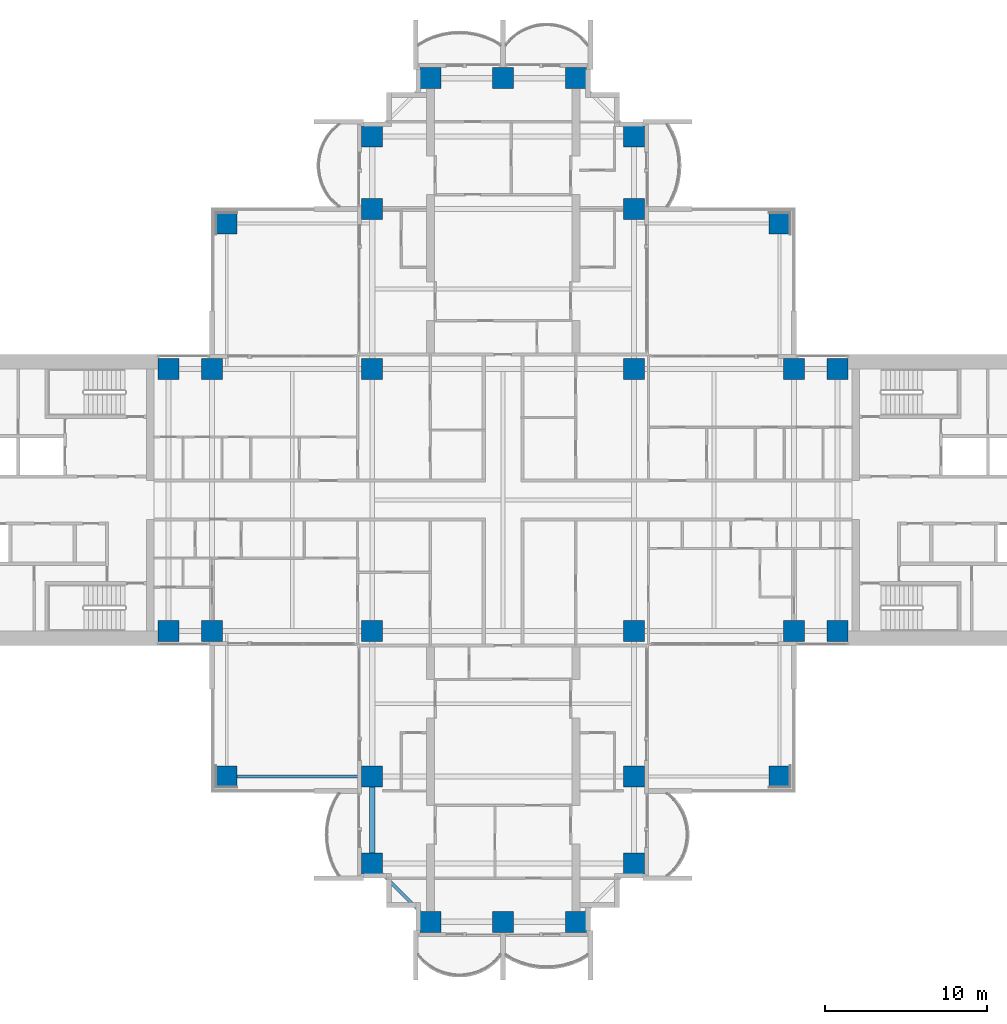
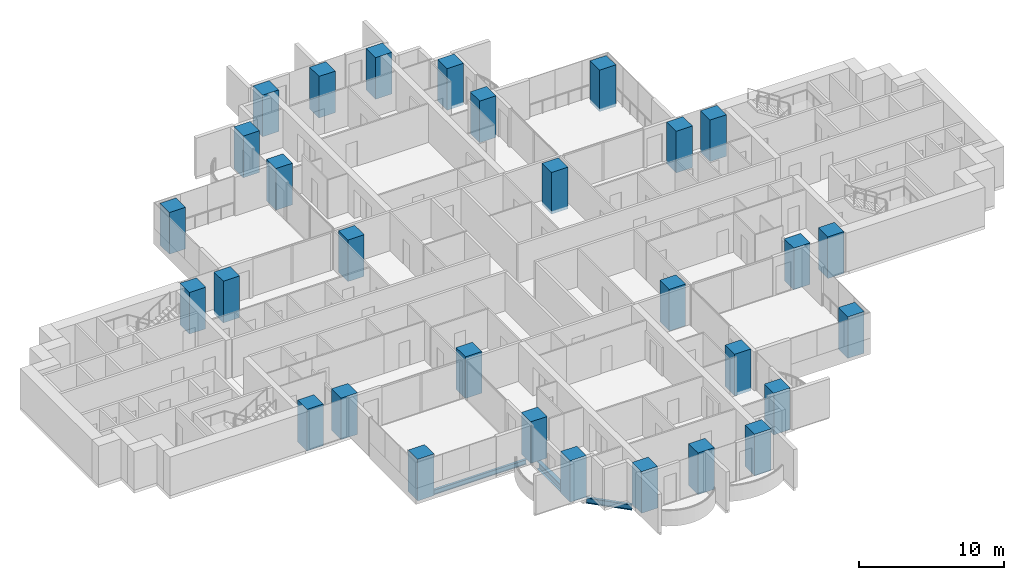
# One storey, part 1 of 21: 30 columns, 3 beams.
"""IFC4 building model written with IfcOpenShell, lengths in metres."""

from ifc_helpers import new_model, si_unit, direction, frame, origin, origin_2d, place, context, subcontext, project, spatial, rectangle, i_section, extrude, material, material_profile, profile_set, type_object, element, save


model = new_model("IFC4")

# Units and contexts
model_context = context("Model", 3, precision=1e-05, world=origin(), true_north=direction((0.0, 1.0)))
body_context = subcontext(model_context, "Body", "Model", "MODEL_VIEW")
ifc_project = project(units=[si_unit("LENGTHUNIT", "METRE"), si_unit("AREAUNIT", "SQUARE_METRE"), si_unit("VOLUMEUNIT", "CUBIC_METRE"), si_unit("PLANEANGLEUNIT", "RADIAN"), si_unit("MASSUNIT", "GRAM", prefix="KILO")], contexts=[model_context])

# Site, building, storey
site_placement = place(None, origin())
site = spatial("IfcSite", under=ifc_project, at=site_placement, CompositionType="ELEMENT")
building_placement = place(site_placement, origin())
building = spatial("IfcBuilding", under=site, at=building_placement, Name="Perihelion Cross Residences", CompositionType="ELEMENT")
storey_placement = place(building_placement, frame((0.0, 0.0, 64.5)))
storey = spatial("IfcBuildingStorey", under=building, at=storey_placement, Name="L13", CompositionType="ELEMENT", Elevation=64.5)

# Columns
ifc_material_1 = material(Name="Concrete C70/85", Category="concrete")
ifc_material_profile_1 = material_profile(ifc_material_1, rectangle(XDim=1.300048828125, YDim=1.300048828125, at=origin_2d()), Name="RC 1300x1300")
ifc_profile_set_1 = profile_set([ifc_material_profile_1], Name="Concrete C70/85")
column_type = type_object("IfcColumnType", Name="Reinforced concrete column 1300x1300 C70/85", PredefinedType="COLUMN", material=ifc_profile_set_1)
for number, where, z_axis, x_axis, name in (
    (1, (-20.699951171875, -8.10009765625, -0.25), (0.0, 0.0, 1.0), (1.0, 0.0, 0.0), "Column C017 L13 no. 1"),
    (2, (-20.699951171875, 8.10009765625, -0.25), (0.0, 0.0, 1.0), (1.0, 0.0, 0.0), "Column C010 L13 no. 1"),
    (3, (-18.0, -8.10009765625, -0.25), (0.0, 0.0, 1.0), (1.0, 0.0, 0.0), "Column C018 L13 no. 1"),
    (4, (-18.0, 8.10009765625, -0.25), (0.0, 0.0, 1.0), (1.0, 0.0, 0.0), "Column C011 L13 no. 1"),
    (5, (-8.10009765625, -22.5, -0.25), (0.0, 0.0, 1.0), (1.0, 0.0, 0.0), "Column C040 L13 no. 1"),
    (6, (-8.10009765625, -17.10009765625, -0.25), (0.0, 0.0, 1.0), (1.0, 0.0, 0.0), "Column C031 L13 no. 1"),
    (7, (-8.10009765625, -8.10009765625, -0.25), (0.0, 0.0, 1.0), (1.0, 0.0, 0.0), "Column C019 L13 no. 1"),
    (8, (-8.10009765625, 8.10009765625, -0.25), (0.0, 0.0, 1.0), (1.0, 0.0, 0.0), "Column C012 L13 no. 1"),
    (9, (-8.10009765625, 18.0, -0.25), (0.0, 0.0, 1.0), (1.0, 0.0, 0.0), "Column C006 L13 no. 1"),
    (10, (-8.10009765625, 22.5, -0.25), (0.0, 0.0, 1.0), (1.0, 0.0, 0.0), "Column C004 L13 no. 1"),
    (11, (-4.5, -26.10009765625, -0.25), (0.0, 0.0, 1.0), (1.0, 0.0, 0.0), "Column C042 L13 no. 1"),
    (12, (-4.5, 26.10009765625, -0.25), (0.0, 0.0, 1.0), (1.0, 0.0, 0.0), "Column C001 L13 no. 1"),
    (13, (0.0, -26.10009765625, -0.25), (0.0, 0.0, 1.0), (1.0, 0.0, 0.0), "Column C043 L13 no. 1"),
    (14, (0.0, 26.10009765625, -0.25), (0.0, 0.0, 1.0), (1.0, 0.0, 0.0), "Column C002 L13 no. 1"),
    (15, (4.5, -26.10009765625, -0.25), (0.0, 0.0, 1.0), (1.0, 0.0, 0.0), "Column C044 L13 no. 1"),
    (16, (4.5, 26.10009765625, -0.25), (0.0, 0.0, 1.0), (1.0, 0.0, 0.0), "Column C003 L13 no. 1"),
    (17, (8.10009765625, -22.5, -0.25), (0.0, 0.0, 1.0), (1.0, 0.0, 0.0), "Column C041 L13 no. 1"),
    (18, (8.10009765625, -17.10009765625, -0.25), (0.0, 0.0, 1.0), (1.0, 0.0, 0.0), "Column C035 L13 no. 1"),
    (19, (8.10009765625, -8.10009765625, -0.25), (0.0, 0.0, 1.0), (1.0, 0.0, 0.0), "Column C020 L13 no. 1"),
    (20, (8.10009765625, 8.10009765625, -0.25), (0.0, 0.0, 1.0), (1.0, 0.0, 0.0), "Column C014 L13 no. 1"),
    (21, (8.10009765625, 18.0, -0.25), (0.0, 0.0, 1.0), (1.0, 0.0, 0.0), "Column C007 L13 no. 1"),
    (22, (8.10009765625, 22.5, -0.25), (0.0, 0.0, 1.0), (1.0, 0.0, 0.0), "Column C005 L13 no. 1"),
    (23, (18.0, -8.10009765625, -0.25), (0.0, 0.0, 1.0), (1.0, 0.0, 0.0), "Column C021 L13 no. 1"),
    (24, (18.0, 8.10009765625, -0.25), (0.0, 0.0, 1.0), (1.0, 0.0, 0.0), "Column C015 L13 no. 1"),
    (25, (20.699951171875, -8.10009765625, -0.25), (0.0, 0.0, 1.0), (1.0, 0.0, 0.0), "Column C022 L13 no. 1"),
    (26, (20.699951171875, 8.10009765625, -0.25), (0.0, 0.0, 1.0), (1.0, 0.0, 0.0), "Column C016 L13 no. 1"),
    (27, (17.10009765625, 17.10009765625, -0.25), (0.0, 0.0, 1.0), (1.0, 0.0, 0.0), "Column C009 L13 no. 1"),
    (28, (-17.10009765625, 17.10009765625, -0.25), (0.0, 0.0, 1.0), (1.0, 0.0, 0.0), "Column C008 L13 no. 1"),
    (29, (-17.10009765625, -17.10009765625, -0.25), (0.0, 0.0, 1.0), (1.0, 0.0, 0.0), "Column C030 L13 no. 1"),
    (30, (17.10009765625, -17.10009765625, -0.25), (0.0, 0.0, 1.0), (1.0, 0.0, 0.0), "Column C036 L13 no. 1"),
):
    element("IfcColumn", number, at=place(storey_placement, frame(where, z_axis=z_axis, x_axis=x_axis)), inside=storey, type_object=column_type, Name=name, PredefinedType="COLUMN", context=body_context, shape_type="SweptSolid", body=[
        extrude(rectangle(XDim=1.300048828125, YDim=1.300048828125, at=origin_2d()), origin(), (0.0, 0.0, 1.0), 3.5),
    ])

# Beams
ifc_material_2 = material(Name="Steel S355", Category="steel")
ifc_material_profile_2 = material_profile(ifc_material_2, i_section(OverallWidth=0.177978515625, OverallDepth=0.406005859375, WebThickness=0.0078125, FlangeThickness=0.0126953125, at=origin_2d()), Name="W410x60")
ifc_profile_set_2 = profile_set([ifc_material_profile_2], Name="Steel S355")
beam_type_1 = type_object("IfcBeamType", Name="Core edge beam W410x60", PredefinedType="BEAM", material=ifc_profile_set_2)
beam_1_placement = place(storey_placement, frame((-8.75, -17.10009765625, -0.452880859375), z_axis=(-1.0, 0.0, 0.0), x_axis=(0.0, -1.0, 0.0)))
element("IfcBeam", 31, at=beam_1_placement, inside=storey, type_object=beam_type_1, Name="Core edge beam TB2 L13 corner no. 2", PredefinedType="BEAM", context=body_context, shape_type="SweptSolid", body=[
    extrude(i_section(OverallWidth=0.177978515625, OverallDepth=0.406005859375, WebThickness=0.0078125, FlangeThickness=0.0126953125, at=origin_2d()), origin(), (0.0, 0.0, 1.0), 7.699951171875),
])
ifc_material_3 = material(Name="Steel S355", Category="steel")
ifc_material_profile_3 = material_profile(ifc_material_3, i_section(OverallWidth=0.324951171875, OverallDepth=0.616943359375, WebThickness=0.013916015625, FlangeThickness=0.021484375, at=origin_2d()), Name="W610x174")
ifc_profile_set_3 = profile_set([ifc_material_profile_3], Name="Steel S355")
beam_type_2 = type_object("IfcBeamType", Name="Edge beam W610x174", PredefinedType="SPANDREL", material=ifc_profile_set_3)
beam_2_placement = place(storey_placement, frame((-8.10009765625, -17.75, -0.55859375), z_axis=(0.0, -1.0, 0.0), x_axis=(1.0, 0.0, 0.0)))
element("IfcBeam", 32, at=beam_2_placement, inside=storey, type_object=beam_type_2, Name="Edge beam SB2 L13 no. 5", PredefinedType="SPANDREL", context=body_context, shape_type="SweptSolid", body=[
    extrude(i_section(OverallWidth=0.324951171875, OverallDepth=0.616943359375, WebThickness=0.013916015625, FlangeThickness=0.021484375, at=origin_2d()), origin(), (0.0, 0.0, 1.0), 4.10009765625),
])
ifc_material_4 = material(Name="Steel S355", Category="steel")
ifc_material_profile_4 = material_profile(ifc_material_4, i_section(OverallWidth=0.194091796875, OverallDepth=0.469970703125, WebThickness=0.0126953125, FlangeThickness=0.0205078125, at=origin_2d()), Name="W460x106")
ifc_profile_set_4 = profile_set([ifc_material_profile_4], Name="Steel S355")
beam_type_3 = type_object("IfcBeamType", Name="Serration edge beam W460x106", PredefinedType="BEAM", material=ifc_profile_set_4)
beam_3_placement = place(storey_placement, frame((-7.449951171875, -23.14990234375, -0.485107421875), z_axis=(0.707106781187, -0.707106781187, 0.0), x_axis=(0.707106781187, 0.707106781187, 0.0)))
element("IfcBeam", 33, at=beam_3_placement, inside=storey, type_object=beam_type_3, Name="Serration edge beam EB2 L13 no. 2", PredefinedType="BEAM", context=body_context, shape_type="SweptSolid", body=[
    extrude(i_section(OverallWidth=0.194091796875, OverallDepth=0.469970703125, WebThickness=0.0126953125, FlangeThickness=0.0205078125, at=origin_2d()), origin(), (0.0, 0.0, 1.0), 3.252685546875),
])

save(model, "model.ifc")
